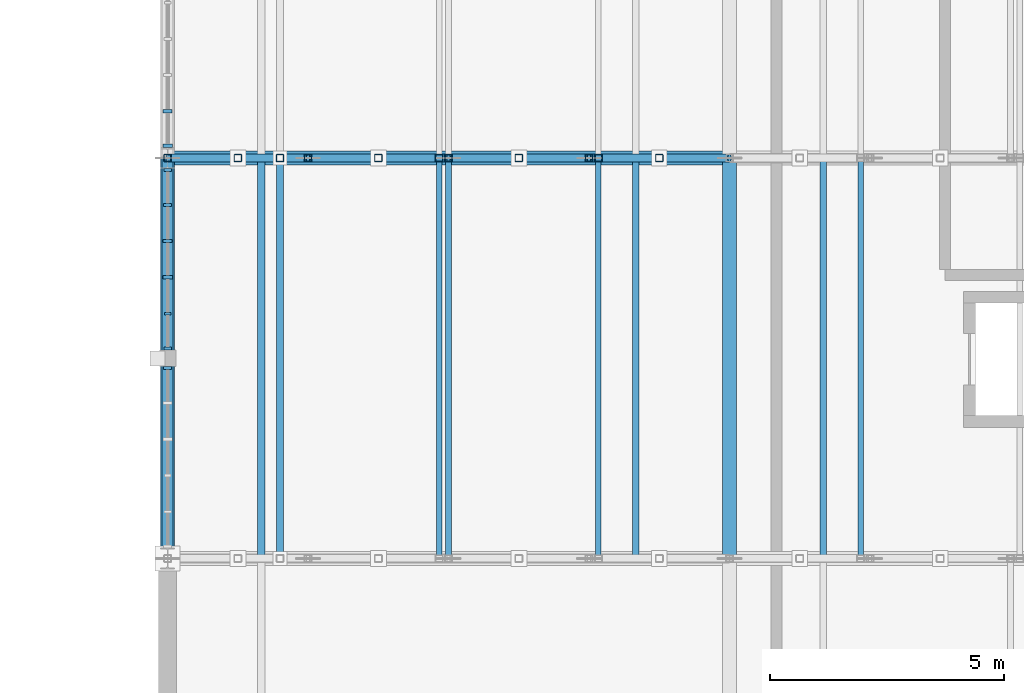
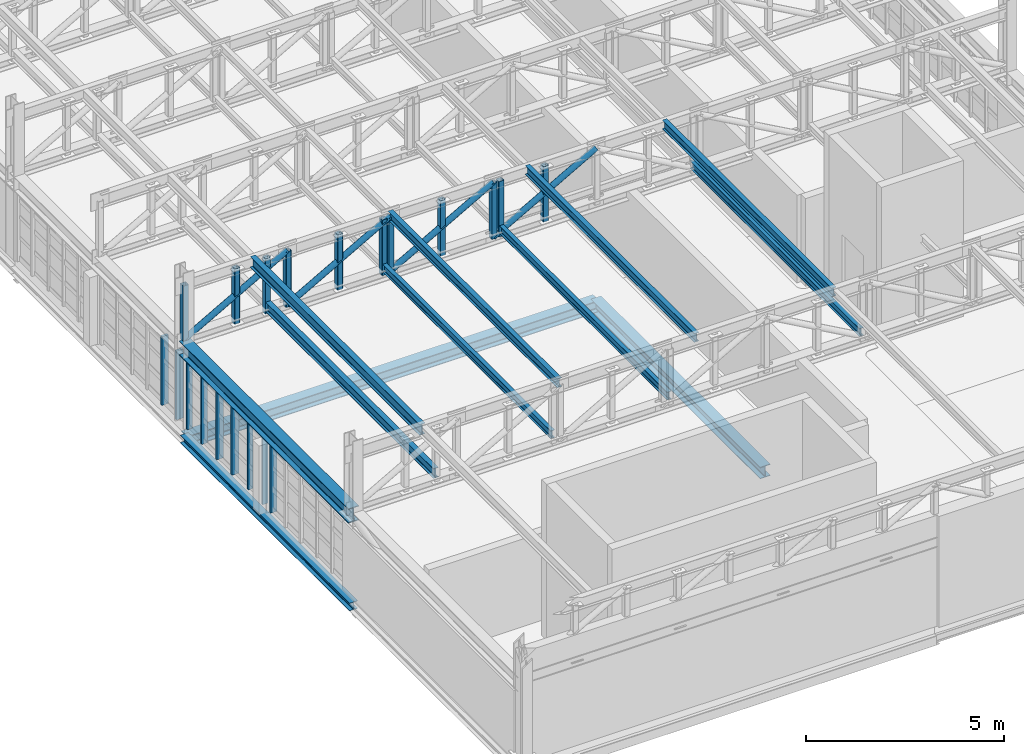
# One storey, part 34 of 128: 32 members, 4 beams, 3 elements without a shape of their own.
"""IFC4 building model written with IfcOpenShell, lengths in metres."""

from ifc_helpers import new_model, si_unit, direction, frame, origin, origin_2d, place, context, subcontext, project, spatial, rectangle, hollow_rectangle, hollow_circle, i_section, extrude, material, material_profile, profile_set, type_object, element, aggregate, save


model = new_model("IFC4")

# Units and contexts
model_context = context("Model", 3, precision=1e-05, world=origin(), true_north=direction((0.0, 1.0)))
body_context = subcontext(model_context, "Body", "Model", "MODEL_VIEW")
ifc_project = project(units=[si_unit("LENGTHUNIT", "METRE"), si_unit("AREAUNIT", "SQUARE_METRE"), si_unit("VOLUMEUNIT", "CUBIC_METRE"), si_unit("PLANEANGLEUNIT", "RADIAN"), si_unit("MASSUNIT", "GRAM", prefix="KILO")], contexts=[model_context])

# Site, building, storey
site_placement = place(None, origin())
site = spatial("IfcSite", under=ifc_project, at=site_placement, CompositionType="ELEMENT")
building_placement = place(site_placement, origin())
building = spatial("IfcBuilding", under=site, at=building_placement, Name="Serraforn Aerial Cableway Station", CompositionType="ELEMENT")
storey_placement = place(building_placement, frame((0.0, 0.0, 9.0)))
storey = spatial("IfcBuildingStorey", under=building, at=storey_placement, Name="L02", CompositionType="ELEMENT", Elevation=9.0)

# Beams
ifc_material_1 = material(Name="Steel S355JR", Category="steel")
ifc_material_profile_1 = material_profile(ifc_material_1, i_section(OverallWidth=0.239990234375, OverallDepth=0.239990234375, WebThickness=0.007568359375, FlangeThickness=0.011962890625, FilletRadius=0.02099609375, at=origin_2d()), Name="HEA 240")
ifc_profile_set_1 = profile_set([ifc_material_profile_1], Name="Steel S355JR")
beam_type_1 = type_object("IfcBeamType", Name="BM-ST-HEA240", PredefinedType="BEAM", material=ifc_profile_set_1)
beam_1_placement = place(storey_placement, frame((144.0, 54.14990234375, -0.43994140625), z_axis=(0.0, 1.0, 0.0), x_axis=(-1.0, 0.0, 0.0)))
element("IfcBeam", 1, at=beam_1_placement, inside=storey, type_object=beam_type_1, Name="Grid Girder Y EG L02 X1-2", PredefinedType="BEAM", context=body_context, shape_type="SweptSolid", body=[
    extrude(i_section(OverallWidth=0.239990234375, OverallDepth=0.239990234375, WebThickness=0.007568359375, FlangeThickness=0.011962890625, FilletRadius=0.02099609375, at=origin_2d()), origin(), (0.0, 0.0, 1.0), 8.550048828125),
])
ifc_material_profile_2 = material_profile(ifc_material_1, i_section(OverallWidth=0.300048828125, OverallDepth=0.360107421875, WebThickness=0.010009765625, FlangeThickness=0.017578125, FilletRadius=0.027099609375, at=origin_2d()), Name="HEA 360")
ifc_profile_set_2 = profile_set([ifc_material_profile_2], Name="Steel S355JR")
beam_type_2 = type_object("IfcBeamType", Name="BM-ST-HEA360", PredefinedType="BEAM", material=ifc_profile_set_2)
beam_2_placement = place(storey_placement, frame((156.0, 54.14990234375, -0.5), z_axis=(0.0, 1.0, 0.0), x_axis=(-1.0, 0.0, 0.0)))
element("IfcBeam", 2, at=beam_2_placement, inside=storey, type_object=beam_type_2, Name="Grid Girder Y EG L02 X2-2", PredefinedType="BEAM", context=body_context, shape_type="SweptSolid", body=[
    extrude(i_section(OverallWidth=0.300048828125, OverallDepth=0.360107421875, WebThickness=0.010009765625, FlangeThickness=0.017578125, FilletRadius=0.027099609375, at=origin_2d()), origin(), (0.0, 0.0, 1.0), 8.550048828125),
])
ifc_material_2 = material(Name="Steel S355J2", Category="steel")
ifc_material_profile_3 = material_profile(ifc_material_2, i_section(OverallWidth=0.300048828125, OverallDepth=0.360107421875, WebThickness=0.012451171875, FlangeThickness=0.0224609375, FilletRadius=0.027099609375, at=origin_2d()), Name="HEB 360")
ifc_profile_set_3 = profile_set([ifc_material_profile_3], Name="Steel S355J2")
beam_type_3 = type_object("IfcBeamType", Name="BM-ST-HEB360", PredefinedType="USERDEFINED", material=ifc_profile_set_3)
beam_3_placement = place(storey_placement, frame((144.0, 62.699951171875, -0.5), z_axis=(1.0, 0.0, 0.0), x_axis=(0.0, 1.0, 0.0)))
element("IfcBeam", 3, at=beam_3_placement, inside=storey, type_object=beam_type_3, Name="Grid Girder X EG L02 Y3-1", ObjectType="GIRDER", PredefinedType="USERDEFINED", context=body_context, shape_type="SweptSolid", body=[
    extrude(i_section(OverallWidth=0.300048828125, OverallDepth=0.360107421875, WebThickness=0.012451171875, FlangeThickness=0.0224609375, FilletRadius=0.027099609375, at=origin_2d()), origin(), (0.0, 0.0, 1.0), 12.0),
])
ifc_material_profile_4 = material_profile(ifc_material_2, i_section(OverallWidth=0.300048828125, OverallDepth=0.449951171875, WebThickness=0.013916015625, FlangeThickness=0.02587890625, FilletRadius=0.027099609375, at=origin_2d()), Name="HEB 450")
ifc_profile_set_4 = profile_set([ifc_material_profile_4], Name="Steel S355J2")
beam_type_4 = type_object("IfcBeamType", Name="BM-ST-HEB450", PredefinedType="USERDEFINED", material=ifc_profile_set_4)
beam_4_placement = place(storey_placement, frame((144.0, 54.14990234375, 2.375), z_axis=(0.0, 1.0, 0.0), x_axis=(-1.0, 0.0, 0.0)))
element("IfcBeam", 4, at=beam_4_placement, inside=storey, type_object=beam_type_4, Name="Garage Truss Support Girder W-2", ObjectType="GIRDER", PredefinedType="USERDEFINED", context=body_context, shape_type="SweptSolid", body=[
    extrude(i_section(OverallWidth=0.300048828125, OverallDepth=0.449951171875, WebThickness=0.013916015625, FlangeThickness=0.02587890625, FilletRadius=0.027099609375, at=origin_2d()), origin(), (0.0, 0.0, 1.0), 8.550048828125),
])

# Curtain wall, members
ifc_material_3 = material(Name="Anodised bronze unitised curtain wall")
curtain_wall_type_1 = type_object("IfcCurtainWallType", Name="CW-SYS-23", PredefinedType="USERDEFINED", material=ifc_material_3)
curtain_wall_1_placement = place(storey_placement, origin())
curtain_wall_1 = element("IfcCurtainWall", 5, at=curtain_wall_1_placement, inside=storey, type_object=curtain_wall_type_1, Name="Unitised Curtain Wall CW-EG-L02-W2A", ObjectType="UNITISED CURTAIN WALL", PredefinedType="USERDEFINED")
ifc_material_4 = material(Name="Anodised bronze extruded aluminium", Category="aluminium")
ifc_material_profile_5 = material_profile(ifc_material_4, rectangle(XDim=0.054931640625, YDim=0.139892578125, at=origin_2d()), Name="CW MULLION 55x140")
ifc_profile_set_5 = profile_set([ifc_material_profile_5], Name="Anodised bronze extruded aluminium")
member_type_1 = type_object("IfcMemberType", Name="CW-MUL-1", PredefinedType="MULLION", material=ifc_profile_set_5)
member_1_placement = place(storey_placement, frame((144.0, 59.37939453125, 0.0), z_axis=(0.0, 0.0, 1.0), x_axis=(0.0, -1.0, 0.0)))
member_1 = element("IfcMember", 6, at=member_1_placement, type_object=member_type_1, Name="Curtain Wall Mullion CW-EG-L02-W2A-M5", PredefinedType="MULLION", context=body_context, shape_type="SweptSolid", body=[
    extrude(rectangle(XDim=0.054931640625, YDim=0.139892578125, at=origin_2d()), origin(), (0.0, 0.0, 1.0), 2.1201171875),
])
ifc_material_profile_6 = material_profile(ifc_material_4, rectangle(XDim=0.06005859375, YDim=0.159912109375, at=origin_2d()), Name="CW MULLION 60x160")
ifc_profile_set_6 = profile_set([ifc_material_profile_6], Name="Anodised bronze extruded aluminium")
member_type_2 = type_object("IfcMemberType", Name="CW-MUL-2", PredefinedType="MULLION", material=ifc_profile_set_6)
member_2_placement = place(storey_placement, frame((144.0, 62.447021484375, 0.0), z_axis=(0.0, 0.0, 1.0), x_axis=(0.0, -1.0, 0.0)))
member_2 = element("IfcMember", 7, at=member_2_placement, type_object=member_type_2, Name="Curtain Wall Mullion CW-EG-L02-W2A-M1", PredefinedType="MULLION", context=body_context, shape_type="SweptSolid", body=[
    extrude(rectangle(XDim=0.06005859375, YDim=0.159912109375, at=origin_2d()), origin(), (0.0, 0.0, 1.0), 2.1201171875),
])
member_3_placement = place(storey_placement, frame((144.0, 58.635009765625, 0.0), z_axis=(0.0, 0.0, 1.0), x_axis=(0.0, -1.0, 0.0)))
member_3 = element("IfcMember", 8, at=member_3_placement, type_object=member_type_2, Name="Curtain Wall Mullion CW-EG-L02-W2A-M6", PredefinedType="MULLION", context=body_context, shape_type="SweptSolid", body=[
    extrude(rectangle(XDim=0.06005859375, YDim=0.159912109375, at=origin_2d()), origin(), (0.0, 0.0, 1.0), 2.1201171875),
])
ifc_material_profile_7 = material_profile(ifc_material_4, rectangle(XDim=0.06494140625, YDim=0.175048828125, at=origin_2d()), Name="CW MULLION 65x175")
ifc_profile_set_7 = profile_set([ifc_material_profile_7], Name="Anodised bronze extruded aluminium")
member_type_3 = type_object("IfcMemberType", Name="CW-MUL-3", PredefinedType="MULLION", material=ifc_profile_set_7)
member_4_placement = place(storey_placement, frame((144.0, 61.70263671875, 0.0), z_axis=(0.0, 0.0, 1.0), x_axis=(0.0, -1.0, 0.0)))
member_4 = element("IfcMember", 9, at=member_4_placement, type_object=member_type_3, Name="Curtain Wall Mullion CW-EG-L02-W2A-M2", PredefinedType="MULLION", context=body_context, shape_type="SweptSolid", body=[
    extrude(rectangle(XDim=0.06494140625, YDim=0.175048828125, at=origin_2d()), origin(), (0.0, 0.0, 1.0), 2.1201171875),
])

# Curtain wall, member
curtain_wall_type_2 = type_object("IfcCurtainWallType", Name="CW-SYS-24", PredefinedType="USERDEFINED", material=ifc_material_3)
curtain_wall_2_placement = place(storey_placement, origin())
curtain_wall_2 = element("IfcCurtainWall", 10, at=curtain_wall_2_placement, inside=storey, type_object=curtain_wall_type_2, Name="Unitised Curtain Wall CW-EG-L02-W2B", ObjectType="UNITISED CURTAIN WALL", PredefinedType="USERDEFINED")
member_5_placement = place(storey_placement, frame((144.0, 58.21240234375, 0.0), z_axis=(0.0, 0.0, 1.0), x_axis=(0.0, -1.0, 0.0)))
member_5 = element("IfcMember", 11, at=member_5_placement, type_object=member_type_3, Name="Curtain Wall Mullion CW-EG-L02-W2B-M1", PredefinedType="MULLION", context=body_context, shape_type="SweptSolid", body=[
    extrude(rectangle(XDim=0.06494140625, YDim=0.175048828125, at=origin_2d()), origin(), (0.0, 0.0, 1.0), 2.1201171875),
])
aggregate(curtain_wall_2, [member_5])

# Member
ifc_material_profile_8 = material_profile(ifc_material_4, rectangle(XDim=0.070068359375, YDim=0.18994140625, at=origin_2d()), Name="CW MULLION 70x190")
ifc_profile_set_8 = profile_set([ifc_material_profile_8], Name="Anodised bronze extruded aluminium")
member_type_4 = type_object("IfcMemberType", Name="CW-MUL-4", PredefinedType="MULLION", material=ifc_profile_set_8)
member_6_placement = place(storey_placement, frame((144.0, 60.92822265625, 0.0), z_axis=(0.0, 0.0, 1.0), x_axis=(0.0, -1.0, 0.0)))
member_6 = element("IfcMember", 12, at=member_6_placement, type_object=member_type_4, Name="Curtain Wall Mullion CW-EG-L02-W2A-M3", PredefinedType="MULLION", context=body_context, shape_type="SweptSolid", body=[
    extrude(rectangle(XDim=0.070068359375, YDim=0.18994140625, at=origin_2d()), origin(), (0.0, 0.0, 1.0), 2.1201171875),
])

# Curtain wall, member
curtain_wall_type_3 = type_object("IfcCurtainWallType", Name="CW-SYS-26", PredefinedType="USERDEFINED", material=ifc_material_3)
curtain_wall_3_placement = place(storey_placement, origin())
curtain_wall_3 = element("IfcCurtainWall", 13, at=curtain_wall_3_placement, inside=storey, type_object=curtain_wall_type_3, Name="Unitised Curtain Wall CW-EG-L02-W3B", ObjectType="UNITISED CURTAIN WALL", PredefinedType="USERDEFINED")
member_7_placement = place(storey_placement, frame((144.0, 63.697509765625, 0.0), z_axis=(0.0, 0.0, 1.0), x_axis=(0.0, -1.0, 0.0)))
member_7 = element("IfcMember", 14, at=member_7_placement, type_object=member_type_4, Name="Curtain Wall Mullion CW-EG-L02-W3B-M5", PredefinedType="MULLION", context=body_context, shape_type="SweptSolid", body=[
    extrude(rectangle(XDim=0.070068359375, YDim=0.18994140625, at=origin_2d()), origin(), (0.0, 0.0, 1.0), 2.1201171875),
])

# Member
ifc_material_profile_9 = material_profile(ifc_material_4, rectangle(XDim=0.074951171875, YDim=0.199951171875, at=origin_2d()), Name="CW MULLION 75x200")
ifc_profile_set_9 = profile_set([ifc_material_profile_9], Name="Anodised bronze extruded aluminium")
member_type_5 = type_object("IfcMemberType", Name="CW-MUL-5", PredefinedType="MULLION", material=ifc_profile_set_9)
member_8_placement = place(storey_placement, frame((144.0, 60.15380859375, 0.0), z_axis=(0.0, 0.0, 1.0), x_axis=(0.0, -1.0, 0.0)))
member_8 = element("IfcMember", 15, at=member_8_placement, type_object=member_type_5, Name="Curtain Wall Mullion CW-EG-L02-W2A-M4", PredefinedType="MULLION", context=body_context, shape_type="SweptSolid", body=[
    extrude(rectangle(XDim=0.074951171875, YDim=0.199951171875, at=origin_2d()), origin(), (0.0, 0.0, 1.0), 2.1201171875),
])

aggregate(curtain_wall_1, [member_2, member_4, member_6, member_8, member_1, member_3])

member_9_placement = place(storey_placement, frame((144.0, 62.96044921875, 0.0), z_axis=(0.0, 0.0, 1.0), x_axis=(0.0, -1.0, 0.0)))
member_9 = element("IfcMember", 16, at=member_9_placement, type_object=member_type_5, Name="Curtain Wall Mullion CW-EG-L02-W3B-M6", PredefinedType="MULLION", context=body_context, shape_type="SweptSolid", body=[
    extrude(rectangle(XDim=0.074951171875, YDim=0.199951171875, at=origin_2d()), origin(), (0.0, 0.0, 1.0), 2.1201171875),
])

aggregate(curtain_wall_3, [member_7, member_9])

# Members
ifc_material_profile_10 = material_profile(ifc_material_2, hollow_circle(Radius=0.084228515625, WallThickness=0.008056640625, at=origin_2d()), Name="CHS 168.3x8.0")
ifc_profile_set_10 = profile_set([ifc_material_profile_10], Name="Steel S355J2")
member_type_6 = type_object("IfcMemberType", Name="MEM-DG-CHS168", PredefinedType="BRACE", material=ifc_profile_set_10)
for number, where, z_axis, x_axis, name in (
    (17, (144.0, 62.699951171875, 2.60009765625), (0.871272396707, 0.0, 0.490799766439), (0.0, 1.0, 0.0), "Garage Truss GT-03 Diagonal 1"),
    (18, (147.0, 62.699951171875, 2.60009765625), (0.871272396707, 0.0, 0.490799766439), (0.0, 1.0, 0.0), "Garage Truss GT-03 Diagonal 2"),
    (19, (150.0, 62.699951171875, 2.60009765625), (0.871272396707, 0.0, 0.490799766439), (0.0, 1.0, 0.0), "Garage Truss GT-03 Diagonal 3"),
    (20, (153.0, 62.699951171875, 2.60009765625), (0.871272396707, 0.0, 0.490799766439), (0.0, 1.0, 0.0), "Garage Truss GT-03 Diagonal 4"),
):
    element("IfcMember", number, at=place(storey_placement, frame(where, z_axis=z_axis, x_axis=x_axis)), inside=storey, type_object=member_type_6, Name=name, PredefinedType="BRACE", context=body_context, shape_type="SweptSolid", body=[
        extrude(hollow_circle(Radius=0.084228515625, WallThickness=0.008056640625, at=origin_2d()), origin(), (0.0, 0.0, 1.0), 3.443359375),
    ])
ifc_material_profile_11 = material_profile(ifc_material_1, i_section(OverallWidth=0.135009765625, OverallDepth=0.27001953125, WebThickness=0.006591796875, FlangeThickness=0.01025390625, FilletRadius=0.014892578125, at=origin_2d()), Name="IPE 270")
ifc_profile_set_11 = profile_set([ifc_material_profile_11], Name="Steel S355JR")
member_type_7 = type_object("IfcMemberType", Name="MEM-PR-IPE270", PredefinedType="PURLIN", material=ifc_profile_set_11)
for number, where, z_axis, x_axis, name in (
    (21, (150.0, 54.14990234375, 4.3349609375), (0.0, 1.0, 0.0), (-1.0, 0.0, 0.0), "Fleet Garage Roof Purlin 2-2"),
    (22, (154.0, 54.14990234375, 4.3349609375), (0.0, 1.0, 0.0), (-1.0, 0.0, 0.0), "Fleet Garage Roof Purlin 2-3"),
    (23, (158.0, 54.14990234375, 4.3349609375), (0.0, 1.0, 0.0), (-1.0, 0.0, 0.0), "Fleet Garage Roof Purlin 2-4"),
):
    element("IfcMember", number, at=place(storey_placement, frame(where, z_axis=z_axis, x_axis=x_axis)), inside=storey, type_object=member_type_7, Name=name, PredefinedType="PURLIN", context=body_context, shape_type="SweptSolid", body=[
        extrude(i_section(OverallWidth=0.135009765625, OverallDepth=0.27001953125, WebThickness=0.006591796875, FlangeThickness=0.01025390625, FilletRadius=0.014892578125, at=origin_2d()), origin(), (0.0, 0.0, 1.0), 8.550048828125),
    ])
ifc_material_profile_12 = material_profile(ifc_material_1, i_section(OverallWidth=0.159912109375, OverallDepth=0.330078125, WebThickness=0.007568359375, FlangeThickness=0.011474609375, FilletRadius=0.01806640625, at=origin_2d()), Name="IPE 330")
ifc_profile_set_12 = profile_set([ifc_material_profile_12], Name="Steel S355JR")
member_type_8 = type_object("IfcMemberType", Name="MEM-PR-IPE330", PredefinedType="PURLIN", material=ifc_profile_set_12)
member_10_placement = place(storey_placement, frame((146.0, 54.14990234375, 4.304931640625), z_axis=(0.0, 1.0, 0.0), x_axis=(-1.0, 0.0, 0.0)))
element("IfcMember", 24, at=member_10_placement, inside=storey, type_object=member_type_8, Name="Fleet Garage Roof Purlin 2-1", PredefinedType="PURLIN", context=body_context, shape_type="SweptSolid", body=[
    extrude(i_section(OverallWidth=0.159912109375, OverallDepth=0.330078125, WebThickness=0.007568359375, FlangeThickness=0.011474609375, FilletRadius=0.01806640625, at=origin_2d()), origin(), (0.0, 0.0, 1.0), 8.550048828125),
])
ifc_material_profile_13 = material_profile(ifc_material_2, i_section(OverallWidth=0.1201171875, OverallDepth=0.239990234375, WebThickness=0.006103515625, FlangeThickness=0.009765625, FilletRadius=0.014892578125, at=origin_2d()), Name="IPE 240")
ifc_profile_set_13 = profile_set([ifc_material_profile_13], Name="Steel S355J2")
member_type_9 = type_object("IfcMemberType", Name="MEM-RL-IPE240", PredefinedType="USERDEFINED", material=ifc_profile_set_13)
for number, where, z_axis, x_axis, name in (
    (25, (149.800048828125, 54.14990234375, 2.820068359375), (0.0, 1.0, 0.0), (-1.0, 0.0, 0.0), "Overhead Cabin Storage Track Rail 2-1"),
    (26, (153.199951171875, 54.14990234375, 2.820068359375), (0.0, 1.0, 0.0), (-1.0, 0.0, 0.0), "Overhead Cabin Storage Track Rail 3-1"),
    (27, (158.800048828125, 54.14990234375, 2.820068359375), (0.0, 1.0, 0.0), (-1.0, 0.0, 0.0), "Overhead Cabin Storage Track Rail 4-1"),
):
    element("IfcMember", number, at=place(storey_placement, frame(where, z_axis=z_axis, x_axis=x_axis)), inside=storey, type_object=member_type_9, Name=name, ObjectType="OVERHEAD TRACK RAIL", PredefinedType="USERDEFINED", context=body_context, shape_type="SweptSolid", body=[
        extrude(i_section(OverallWidth=0.1201171875, OverallDepth=0.239990234375, WebThickness=0.006103515625, FlangeThickness=0.009765625, FilletRadius=0.014892578125, at=origin_2d()), origin(), (0.0, 0.0, 1.0), 8.550048828125),
    ])
ifc_material_profile_14 = material_profile(ifc_material_2, i_section(OverallWidth=0.14990234375, OverallDepth=0.300048828125, WebThickness=0.007080078125, FlangeThickness=0.0107421875, FilletRadius=0.014892578125, at=origin_2d()), Name="IPE 300")
ifc_profile_set_14 = profile_set([ifc_material_profile_14], Name="Steel S355J2")
member_type_10 = type_object("IfcMemberType", Name="MEM-RL-IPE300", PredefinedType="USERDEFINED", material=ifc_profile_set_14)
member_11_placement = place(storey_placement, frame((146.39990234375, 54.14990234375, 2.820068359375), z_axis=(0.0, 1.0, 0.0), x_axis=(-1.0, 0.0, 0.0)))
element("IfcMember", 28, at=member_11_placement, inside=storey, type_object=member_type_10, Name="Overhead Cabin Storage Track Rail 1-1", ObjectType="OVERHEAD TRACK RAIL", PredefinedType="USERDEFINED", context=body_context, shape_type="SweptSolid", body=[
    extrude(i_section(OverallWidth=0.14990234375, OverallDepth=0.300048828125, WebThickness=0.007080078125, FlangeThickness=0.0107421875, FilletRadius=0.014892578125, at=origin_2d()), origin(), (0.0, 0.0, 1.0), 8.550048828125),
])
ifc_material_profile_15 = material_profile(ifc_material_2, hollow_rectangle(XDim=0.159912109375, YDim=0.159912109375, WallThickness=0.008056640625, InnerFilletRadius=0.008056640625, OuterFilletRadius=0.01611328125, at=origin_2d()), Name="SHS 160x160x8.0")
ifc_profile_set_15 = profile_set([ifc_material_profile_15], Name="Steel S355J2")
member_type_11 = type_object("IfcMemberType", Name="MEM-VP-SHS160", PredefinedType="STRUT", material=ifc_profile_set_15)
for number, where, z_axis, x_axis, name in (
    (29, (144.0, 62.699951171875, 2.590087890625), (0.0, 0.0, 1.0), (1.0, 0.0, 0.0), "Garage Truss GT-03 Post 1"),
    (30, (147.0, 62.699951171875, 2.590087890625), (0.0, 0.0, 1.0), (1.0, 0.0, 0.0), "Garage Truss GT-03 Post 2"),
    (31, (150.0, 62.699951171875, 2.590087890625), (0.0, 0.0, 1.0), (1.0, 0.0, 0.0), "Garage Truss GT-03 Post 3"),
    (32, (153.0, 62.699951171875, 2.590087890625), (0.0, 0.0, 1.0), (1.0, 0.0, 0.0), "Garage Truss GT-03 Post 4"),
    (33, (146.39990234375, 62.699951171875, 2.590087890625), (0.0, 0.0, 1.0), (1.0, 0.0, 0.0), "Overhead Rail Suspension Post 007"),
    (34, (149.800048828125, 62.699951171875, 2.590087890625), (0.0, 0.0, 1.0), (1.0, 0.0, 0.0), "Overhead Rail Suspension Post 008"),
    (35, (153.199951171875, 62.699951171875, 2.590087890625), (0.0, 0.0, 1.0), (1.0, 0.0, 0.0), "Overhead Rail Suspension Post 009"),
    (36, (145.5, 62.699951171875, 2.590087890625), (0.0, 0.0, 1.0), (1.0, 0.0, 0.0), "Garage Truss GT-03 Sub-Vertical 1"),
    (37, (148.5, 62.699951171875, 2.590087890625), (0.0, 0.0, 1.0), (1.0, 0.0, 0.0), "Garage Truss GT-03 Sub-Vertical 2"),
    (38, (151.5, 62.699951171875, 2.590087890625), (0.0, 0.0, 1.0), (1.0, 0.0, 0.0), "Garage Truss GT-03 Sub-Vertical 3"),
    (39, (154.5, 62.699951171875, 2.590087890625), (0.0, 0.0, 1.0), (1.0, 0.0, 0.0), "Garage Truss GT-03 Sub-Vertical 4"),
):
    element("IfcMember", number, at=place(storey_placement, frame(where, z_axis=z_axis, x_axis=x_axis)), inside=storey, type_object=member_type_11, Name=name, PredefinedType="STRUT", context=body_context, shape_type="SweptSolid", body=[
        extrude(hollow_rectangle(XDim=0.159912109375, YDim=0.159912109375, WallThickness=0.008056640625, InnerFilletRadius=0.008056640625, OuterFilletRadius=0.01611328125, at=origin_2d()), origin(), (0.0, 0.0, 1.0), 1.7099609375),
    ])

save(model, "model.ifc")
